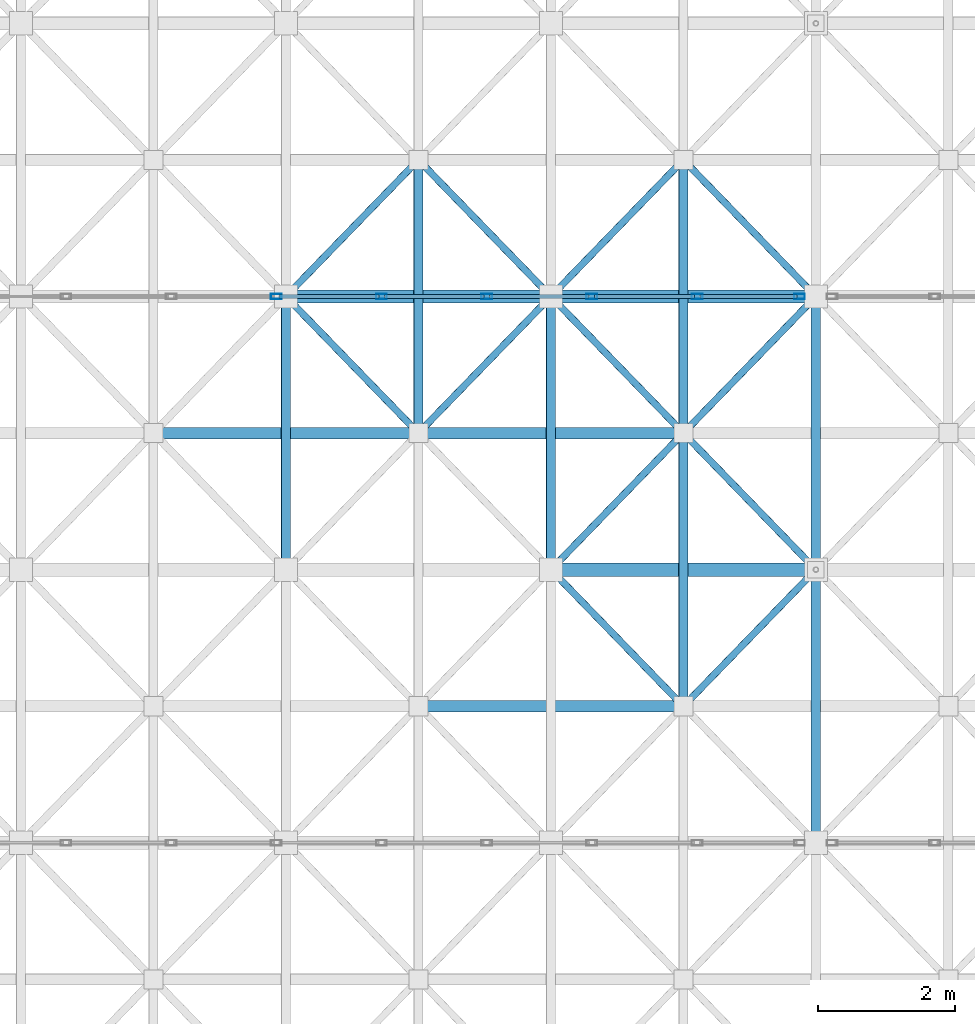
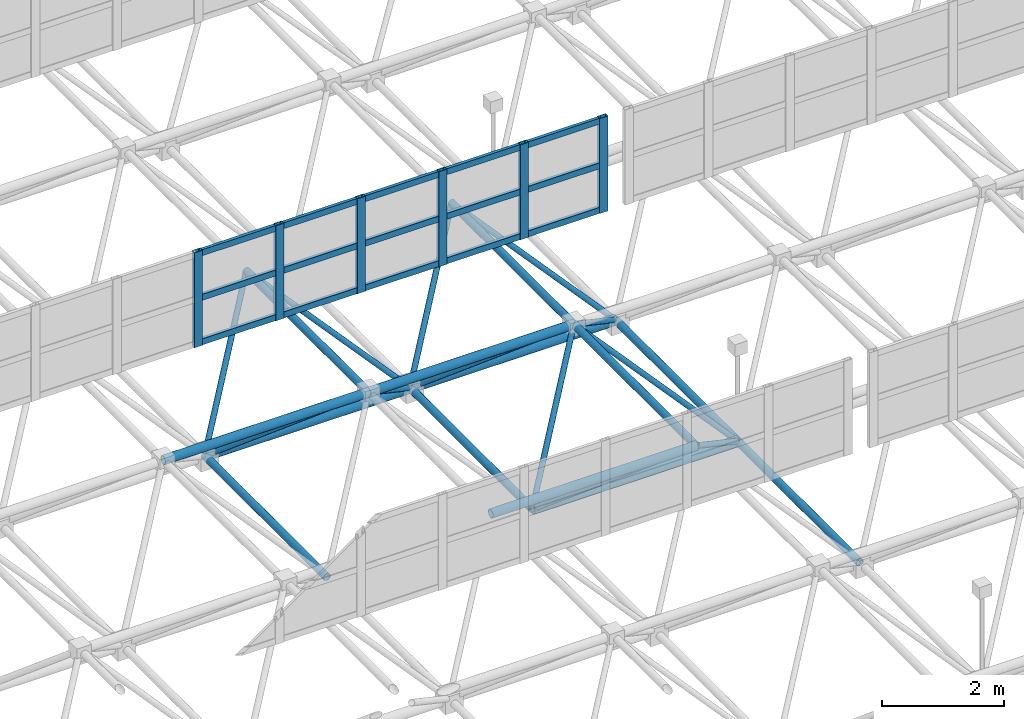
# One storey, part 83 of 195: 46 members, 1 element without a shape of its own.
"""IFC4 building model written with IfcOpenShell, lengths in metres."""

from ifc_helpers import new_model, si_unit, direction, frame, origin, origin_2d, place, context, subcontext, project, spatial, hollow_rectangle, hollow_circle, extrude, material, material_profile, profile_set, type_object, element, aggregate, save


model = new_model("IFC4")

# Units and contexts
model_context = context("Model", 3, precision=1e-05, world=origin(), true_north=direction((0.0, 1.0)))
body_context = subcontext(model_context, "Body", "Model", "MODEL_VIEW")
ifc_project = project(units=[si_unit("LENGTHUNIT", "METRE"), si_unit("AREAUNIT", "SQUARE_METRE"), si_unit("VOLUMEUNIT", "CUBIC_METRE"), si_unit("PLANEANGLEUNIT", "RADIAN"), si_unit("MASSUNIT", "GRAM", prefix="KILO")], contexts=[model_context])

# Site, building, storey
site_placement = place(None, origin())
site = spatial("IfcSite", under=ifc_project, at=site_placement, CompositionType="ELEMENT")
building_placement = place(site_placement, origin())
building = spatial("IfcBuilding", under=site, at=building_placement, Name="Kharva Crest Polytechnic", CompositionType="ELEMENT")
storey_placement = place(building_placement, frame((0.0, 0.0, 9.0)))
storey = spatial("IfcBuildingStorey", under=building, at=storey_placement, Name="L02", CompositionType="ELEMENT", Elevation=9.0)

# Curtain wall, members
ifc_material_1 = material(Name="Tempered insulated glass", Category="glass")
curtain_wall_type = type_object("IfcCurtainWallType", Name="CW-SYS-NORTHLIGHT", PredefinedType="USERDEFINED", material=ifc_material_1)
curtain_wall_placement = place(storey_placement, origin())
curtain_wall = element("IfcCurtainWall", 1, at=curtain_wall_placement, inside=storey, type_object=curtain_wall_type, Name="L02 Glazed Curtain Wall CW-195", ObjectType="CURTAIN WALL", PredefinedType="USERDEFINED")
ifc_material_2 = material(Name="Steel S355", Category="steel")
ifc_material_profile_1 = material_profile(ifc_material_2, hollow_rectangle(XDim=0.080078125, YDim=0.159912109375, WallThickness=0.0048828125, at=origin_2d()), Name="RHS 160X80X5.0")
ifc_profile_set_1 = profile_set([ifc_material_profile_1], Name="Steel S355")
member_type_1 = type_object("IfcMemberType", Name="CWM-RHS160X80", PredefinedType="MULLION", material=ifc_profile_set_1)
member_1_placement = place(storey_placement, frame((8.10009765625, 70.800048828125, 2.85009765625), z_axis=(0.0, 0.0, 1.0), x_axis=(0.0, 1.0, 0.0)))
member_1 = element("IfcMember", 2, at=member_1_placement, type_object=member_type_1, Name="CW-195 mullion 6", PredefinedType="MULLION", context=body_context, shape_type="SweptSolid", body=[
    extrude(hollow_rectangle(XDim=0.080078125, YDim=0.159912109375, WallThickness=0.0048828125, at=origin_2d()), origin(), (0.0, 0.0, 1.0), 1.89990234375),
])
member_2_placement = place(storey_placement, frame((9.639892578125, 70.800048828125, 2.85009765625), z_axis=(0.0, 0.0, 1.0), x_axis=(0.0, 1.0, 0.0)))
member_2 = element("IfcMember", 3, at=member_2_placement, type_object=member_type_1, Name="CW-195 mullion 7", PredefinedType="MULLION", context=body_context, shape_type="SweptSolid", body=[
    extrude(hollow_rectangle(XDim=0.080078125, YDim=0.159912109375, WallThickness=0.0048828125, at=origin_2d()), origin(), (0.0, 0.0, 1.0), 1.89990234375),
])
member_3_placement = place(storey_placement, frame((11.179931640625, 70.800048828125, 2.85009765625), z_axis=(0.0, 0.0, 1.0), x_axis=(0.0, 1.0, 0.0)))
member_3 = element("IfcMember", 4, at=member_3_placement, type_object=member_type_1, Name="CW-195 mullion 8", PredefinedType="MULLION", context=body_context, shape_type="SweptSolid", body=[
    extrude(hollow_rectangle(XDim=0.080078125, YDim=0.159912109375, WallThickness=0.0048828125, at=origin_2d()), origin(), (0.0, 0.0, 1.0), 1.89990234375),
])
member_4_placement = place(storey_placement, frame((12.719970703125, 70.800048828125, 2.85009765625), z_axis=(0.0, 0.0, 1.0), x_axis=(0.0, 1.0, 0.0)))
member_4 = element("IfcMember", 5, at=member_4_placement, type_object=member_type_1, Name="CW-195 mullion 9", PredefinedType="MULLION", context=body_context, shape_type="SweptSolid", body=[
    extrude(hollow_rectangle(XDim=0.080078125, YDim=0.159912109375, WallThickness=0.0048828125, at=origin_2d()), origin(), (0.0, 0.0, 1.0), 1.89990234375),
])
member_5_placement = place(storey_placement, frame((14.260009765625, 70.800048828125, 2.85009765625), z_axis=(0.0, 0.0, 1.0), x_axis=(0.0, 1.0, 0.0)))
member_5 = element("IfcMember", 6, at=member_5_placement, type_object=member_type_1, Name="CW-195 mullion 10", PredefinedType="MULLION", context=body_context, shape_type="SweptSolid", body=[
    extrude(hollow_rectangle(XDim=0.080078125, YDim=0.159912109375, WallThickness=0.0048828125, at=origin_2d()), origin(), (0.0, 0.0, 1.0), 1.89990234375),
])
member_6_placement = place(storey_placement, frame((15.760009765625, 70.800048828125, 2.85009765625), z_axis=(0.0, 0.0, 1.0), x_axis=(0.0, 1.0, 0.0)))
member_6 = element("IfcMember", 7, at=member_6_placement, type_object=member_type_1, Name="CW-195 mullion 11", PredefinedType="MULLION", context=body_context, shape_type="SweptSolid", body=[
    extrude(hollow_rectangle(XDim=0.080078125, YDim=0.159912109375, WallThickness=0.0048828125, at=origin_2d()), origin(), (0.0, 0.0, 1.0), 1.89990234375),
])
ifc_material_profile_2 = material_profile(ifc_material_2, hollow_rectangle(XDim=0.06005859375, YDim=0.1201171875, WallThickness=0.00390625, at=origin_2d()), Name="RHS 120X60X4.0")
ifc_profile_set_2 = profile_set([ifc_material_profile_2], Name="Steel S355")
member_type_2 = type_object("IfcMemberType", Name="CWT-RHS120X60", PredefinedType="USERDEFINED", material=ifc_profile_set_2)
member_7_placement = place(storey_placement, frame((8.139892578125, 70.800048828125, 2.909912109375), z_axis=(1.0, 0.0, 0.0), x_axis=(0.0, 1.0, 0.0)))
member_7 = element("IfcMember", 8, at=member_7_placement, type_object=member_type_2, Name="CW-195 transom 6.1", ObjectType="TRANSOM", PredefinedType="USERDEFINED", context=body_context, shape_type="SweptSolid", body=[
    extrude(hollow_rectangle(XDim=0.06005859375, YDim=0.1201171875, WallThickness=0.00390625, at=origin_2d()), origin(), (0.0, 0.0, 1.0), 1.460205078125),
])
member_8_placement = place(storey_placement, frame((8.139892578125, 70.800048828125, 3.800048828125), z_axis=(1.0, 0.0, 0.0), x_axis=(0.0, 1.0, 0.0)))
member_8 = element("IfcMember", 9, at=member_8_placement, type_object=member_type_2, Name="CW-195 transom 6.2", ObjectType="TRANSOM", PredefinedType="USERDEFINED", context=body_context, shape_type="SweptSolid", body=[
    extrude(hollow_rectangle(XDim=0.06005859375, YDim=0.1201171875, WallThickness=0.00390625, at=origin_2d()), origin(), (0.0, 0.0, 1.0), 1.460205078125),
])
member_9_placement = place(storey_placement, frame((8.139892578125, 70.800048828125, 4.68994140625), z_axis=(1.0, 0.0, 0.0), x_axis=(0.0, 1.0, 0.0)))
member_9 = element("IfcMember", 10, at=member_9_placement, type_object=member_type_2, Name="CW-195 transom 6.3", ObjectType="TRANSOM", PredefinedType="USERDEFINED", context=body_context, shape_type="SweptSolid", body=[
    extrude(hollow_rectangle(XDim=0.06005859375, YDim=0.1201171875, WallThickness=0.00390625, at=origin_2d()), origin(), (0.0, 0.0, 1.0), 1.460205078125),
])
member_10_placement = place(storey_placement, frame((9.679931640625, 70.800048828125, 2.909912109375), z_axis=(1.0, 0.0, 0.0), x_axis=(0.0, 1.0, 0.0)))
member_10 = element("IfcMember", 11, at=member_10_placement, type_object=member_type_2, Name="CW-195 transom 7.1", ObjectType="TRANSOM", PredefinedType="USERDEFINED", context=body_context, shape_type="SweptSolid", body=[
    extrude(hollow_rectangle(XDim=0.06005859375, YDim=0.1201171875, WallThickness=0.00390625, at=origin_2d()), origin(), (0.0, 0.0, 1.0), 1.4599609375),
])
member_11_placement = place(storey_placement, frame((9.679931640625, 70.800048828125, 3.800048828125), z_axis=(1.0, 0.0, 0.0), x_axis=(0.0, 1.0, 0.0)))
member_11 = element("IfcMember", 12, at=member_11_placement, type_object=member_type_2, Name="CW-195 transom 7.2", ObjectType="TRANSOM", PredefinedType="USERDEFINED", context=body_context, shape_type="SweptSolid", body=[
    extrude(hollow_rectangle(XDim=0.06005859375, YDim=0.1201171875, WallThickness=0.00390625, at=origin_2d()), origin(), (0.0, 0.0, 1.0), 1.4599609375),
])
member_12_placement = place(storey_placement, frame((9.679931640625, 70.800048828125, 4.68994140625), z_axis=(1.0, 0.0, 0.0), x_axis=(0.0, 1.0, 0.0)))
member_12 = element("IfcMember", 13, at=member_12_placement, type_object=member_type_2, Name="CW-195 transom 7.3", ObjectType="TRANSOM", PredefinedType="USERDEFINED", context=body_context, shape_type="SweptSolid", body=[
    extrude(hollow_rectangle(XDim=0.06005859375, YDim=0.1201171875, WallThickness=0.00390625, at=origin_2d()), origin(), (0.0, 0.0, 1.0), 1.4599609375),
])
member_13_placement = place(storey_placement, frame((11.219970703125, 70.800048828125, 2.909912109375), z_axis=(1.0, 0.0, 0.0), x_axis=(0.0, 1.0, 0.0)))
member_13 = element("IfcMember", 14, at=member_13_placement, type_object=member_type_2, Name="CW-195 transom 8.1", ObjectType="TRANSOM", PredefinedType="USERDEFINED", context=body_context, shape_type="SweptSolid", body=[
    extrude(hollow_rectangle(XDim=0.06005859375, YDim=0.1201171875, WallThickness=0.00390625, at=origin_2d()), origin(), (0.0, 0.0, 1.0), 1.4599609375),
])
member_14_placement = place(storey_placement, frame((11.219970703125, 70.800048828125, 3.800048828125), z_axis=(1.0, 0.0, 0.0), x_axis=(0.0, 1.0, 0.0)))
member_14 = element("IfcMember", 15, at=member_14_placement, type_object=member_type_2, Name="CW-195 transom 8.2", ObjectType="TRANSOM", PredefinedType="USERDEFINED", context=body_context, shape_type="SweptSolid", body=[
    extrude(hollow_rectangle(XDim=0.06005859375, YDim=0.1201171875, WallThickness=0.00390625, at=origin_2d()), origin(), (0.0, 0.0, 1.0), 1.4599609375),
])
member_15_placement = place(storey_placement, frame((11.219970703125, 70.800048828125, 4.68994140625), z_axis=(1.0, 0.0, 0.0), x_axis=(0.0, 1.0, 0.0)))
member_15 = element("IfcMember", 16, at=member_15_placement, type_object=member_type_2, Name="CW-195 transom 8.3", ObjectType="TRANSOM", PredefinedType="USERDEFINED", context=body_context, shape_type="SweptSolid", body=[
    extrude(hollow_rectangle(XDim=0.06005859375, YDim=0.1201171875, WallThickness=0.00390625, at=origin_2d()), origin(), (0.0, 0.0, 1.0), 1.4599609375),
])
member_16_placement = place(storey_placement, frame((12.760009765625, 70.800048828125, 2.909912109375), z_axis=(1.0, 0.0, 0.0), x_axis=(0.0, 1.0, 0.0)))
member_16 = element("IfcMember", 17, at=member_16_placement, type_object=member_type_2, Name="CW-195 transom 9.1", ObjectType="TRANSOM", PredefinedType="USERDEFINED", context=body_context, shape_type="SweptSolid", body=[
    extrude(hollow_rectangle(XDim=0.06005859375, YDim=0.1201171875, WallThickness=0.00390625, at=origin_2d()), origin(), (0.0, 0.0, 1.0), 1.4599609375),
])
member_17_placement = place(storey_placement, frame((12.760009765625, 70.800048828125, 3.800048828125), z_axis=(1.0, 0.0, 0.0), x_axis=(0.0, 1.0, 0.0)))
member_17 = element("IfcMember", 18, at=member_17_placement, type_object=member_type_2, Name="CW-195 transom 9.2", ObjectType="TRANSOM", PredefinedType="USERDEFINED", context=body_context, shape_type="SweptSolid", body=[
    extrude(hollow_rectangle(XDim=0.06005859375, YDim=0.1201171875, WallThickness=0.00390625, at=origin_2d()), origin(), (0.0, 0.0, 1.0), 1.4599609375),
])
member_18_placement = place(storey_placement, frame((12.760009765625, 70.800048828125, 4.68994140625), z_axis=(1.0, 0.0, 0.0), x_axis=(0.0, 1.0, 0.0)))
member_18 = element("IfcMember", 19, at=member_18_placement, type_object=member_type_2, Name="CW-195 transom 9.3", ObjectType="TRANSOM", PredefinedType="USERDEFINED", context=body_context, shape_type="SweptSolid", body=[
    extrude(hollow_rectangle(XDim=0.06005859375, YDim=0.1201171875, WallThickness=0.00390625, at=origin_2d()), origin(), (0.0, 0.0, 1.0), 1.4599609375),
])
member_19_placement = place(storey_placement, frame((14.300048828125, 70.800048828125, 2.909912109375), z_axis=(1.0, 0.0, 0.0), x_axis=(0.0, 1.0, 0.0)))
member_19 = element("IfcMember", 20, at=member_19_placement, type_object=member_type_2, Name="CW-195 transom 10.1", ObjectType="TRANSOM", PredefinedType="USERDEFINED", context=body_context, shape_type="SweptSolid", body=[
    extrude(hollow_rectangle(XDim=0.06005859375, YDim=0.1201171875, WallThickness=0.00390625, at=origin_2d()), origin(), (0.0, 0.0, 1.0), 1.419921875),
])
member_20_placement = place(storey_placement, frame((14.300048828125, 70.800048828125, 3.800048828125), z_axis=(1.0, 0.0, 0.0), x_axis=(0.0, 1.0, 0.0)))
member_20 = element("IfcMember", 21, at=member_20_placement, type_object=member_type_2, Name="CW-195 transom 10.2", ObjectType="TRANSOM", PredefinedType="USERDEFINED", context=body_context, shape_type="SweptSolid", body=[
    extrude(hollow_rectangle(XDim=0.06005859375, YDim=0.1201171875, WallThickness=0.00390625, at=origin_2d()), origin(), (0.0, 0.0, 1.0), 1.419921875),
])
member_21_placement = place(storey_placement, frame((14.300048828125, 70.800048828125, 4.68994140625), z_axis=(1.0, 0.0, 0.0), x_axis=(0.0, 1.0, 0.0)))
member_21 = element("IfcMember", 22, at=member_21_placement, type_object=member_type_2, Name="CW-195 transom 10.3", ObjectType="TRANSOM", PredefinedType="USERDEFINED", context=body_context, shape_type="SweptSolid", body=[
    extrude(hollow_rectangle(XDim=0.06005859375, YDim=0.1201171875, WallThickness=0.00390625, at=origin_2d()), origin(), (0.0, 0.0, 1.0), 1.419921875),
])
aggregate(curtain_wall, [member_1, member_2, member_3, member_4, member_5, member_6, member_7, member_8, member_9, member_10, member_11, member_12, member_13, member_14, member_15, member_16, member_17, member_18, member_19, member_20, member_21])

# Members
ifc_material_profile_3 = material_profile(ifc_material_2, hollow_circle(Radius=0.05078125, WallThickness=0.0048828125, at=origin_2d()), Name="CHS 101.6X5.0")
ifc_profile_set_3 = profile_set([ifc_material_profile_3], Name="Steel S355")
member_type_3 = type_object("IfcMemberType", Name="MEM-CHS101", PredefinedType="BRACE", material=ifc_profile_set_3)
for number, where, z_axis, x_axis, name in (
    (23, (8.239990234375, 70.800048828125, 0.60009765625), (0.584843378742, -0.602949529154, 0.542595694449), (0.717802189577, 0.696247094528, 0.0), "Space Frame Web Diagonal 591"),
    (24, (12.1201171875, 70.800048828125, 0.60009765625), (-0.584891802813, -0.602923574763, 0.542572338032), (0.717758400015, -0.696292236929, 0.0), "Space Frame Web Diagonal 592"),
    (25, (8.239990234375, 70.800048828125, 0.60009765625), (0.584843378742, 0.602949529154, 0.542595694449), (-0.717802189577, 0.696247094528, 0.0), "Space Frame Web Diagonal 593"),
    (26, (12.1201171875, 70.800048828125, 0.60009765625), (-0.584891802813, 0.602923574763, 0.542572338032), (-0.717758400015, -0.696292236929, 0.0), "Space Frame Web Diagonal 594"),
    (27, (12.1201171875, 66.800048828125, 0.60009765625), (0.584843378742, -0.602949529154, 0.542595694449), (0.717802189577, 0.696247094528, 0.0), "Space Frame Web Diagonal 643"),
    (28, (16.0, 66.800048828125, 0.60009765625), (-0.584843378742, -0.602949529154, 0.542595694449), (0.717802189577, -0.696247094528, 0.0), "Space Frame Web Diagonal 644"),
    (29, (12.1201171875, 66.800048828125, 0.60009765625), (0.584843378742, 0.602949529154, 0.542595694449), (-0.717802189577, 0.696247094528, 0.0), "Space Frame Web Diagonal 645"),
    (30, (16.0, 66.800048828125, 0.60009765625), (-0.584843378742, 0.602949529154, 0.542595694449), (-0.717802189577, -0.696247094528, 0.0), "Space Frame Web Diagonal 646"),
    (31, (12.1201171875, 70.800048828125, 0.60009765625), (0.584843378742, -0.602949529154, 0.542595694449), (0.717802189577, 0.696247094528, 0.0), "Space Frame Web Diagonal 647"),
    (32, (16.0, 70.800048828125, 0.60009765625), (-0.584843378742, -0.602949529154, 0.542595694449), (0.717802189577, -0.696247094528, 0.0), "Space Frame Web Diagonal 648"),
    (33, (12.1201171875, 70.800048828125, 0.60009765625), (0.584843378742, 0.602949529154, 0.542595694449), (-0.717802189577, 0.696247094528, 0.0), "Space Frame Web Diagonal 649"),
    (34, (16.0, 70.800048828125, 0.60009765625), (-0.584843378742, 0.602949529154, 0.542595694449), (-0.717802189577, -0.696247094528, 0.0), "Space Frame Web Diagonal 650"),
):
    element("IfcMember", number, at=place(storey_placement, frame(where, z_axis=z_axis, x_axis=x_axis)), inside=storey, type_object=member_type_3, Name=name, PredefinedType="BRACE", context=body_context, shape_type="SweptSolid", body=[
        extrude(hollow_circle(Radius=0.05078125, WallThickness=0.0048828125, at=origin_2d()), origin(), (0.0, 0.0, 1.0), 3.317138671875),
    ])
ifc_material_profile_4 = material_profile(ifc_material_2, hollow_circle(Radius=0.06982421875, WallThickness=0.00634765625, at=origin_2d()), Name="CHS 139.7X6.3")
ifc_profile_set_4 = profile_set([ifc_material_profile_4], Name="Steel S355")
member_type_4 = type_object("IfcMemberType", Name="MEM-CHS139", PredefinedType="CHORD", material=ifc_profile_set_4)
for number, where, z_axis, x_axis, name in (
    (35, (8.239990234375, 66.800048828125, 0.60009765625), (0.0, 1.0, 0.0), (-1.0, 0.0, 0.0), "Space Frame Bottom Chord Y 156"),
    (36, (12.1201171875, 66.800048828125, 0.60009765625), (0.0, 1.0, 0.0), (-1.0, 0.0, 0.0), "Space Frame Bottom Chord Y 170"),
    (37, (16.0, 62.800048828125, 0.60009765625), (0.0, 1.0, 0.0), (-1.0, 0.0, 0.0), "Space Frame Bottom Chord Y 183"),
    (38, (16.0, 66.800048828125, 0.60009765625), (0.0, 1.0, 0.0), (-1.0, 0.0, 0.0), "Space Frame Bottom Chord Y 184"),
    (39, (10.179931640625, 68.800048828125, 2.39990234375), (0.0, 1.0, 0.0), (-1.0, 0.0, 0.0), "Space Frame Top Chord Y 378"),
    (40, (14.06005859375, 64.800048828125, 2.39990234375), (0.0, 1.0, 0.0), (-1.0, 0.0, 0.0), "Space Frame Top Chord Y 390"),
    (41, (14.06005859375, 68.800048828125, 2.39990234375), (0.0, 1.0, 0.0), (-1.0, 0.0, 0.0), "Space Frame Top Chord Y 391"),
):
    element("IfcMember", number, at=place(storey_placement, frame(where, z_axis=z_axis, x_axis=x_axis)), inside=storey, type_object=member_type_4, Name=name, PredefinedType="CHORD", context=body_context, shape_type="SweptSolid", body=[
        extrude(hollow_circle(Radius=0.06982421875, WallThickness=0.00634765625, at=origin_2d()), origin(), (0.0, 0.0, 1.0), 4.0),
    ])
ifc_material_profile_5 = material_profile(ifc_material_2, hollow_circle(Radius=0.084228515625, WallThickness=0.008056640625, at=origin_2d()), Name="CHS 168.3X8.0")
ifc_profile_set_5 = profile_set([ifc_material_profile_5], Name="Steel S355")
member_type_5 = type_object("IfcMemberType", Name="MEM-CHS168", PredefinedType="CHORD", material=ifc_profile_set_5)
member_22_placement = place(storey_placement, frame((10.179931640625, 64.800048828125, 2.39990234375), z_axis=(1.0, 0.0, 0.0), x_axis=(0.0, 1.0, 0.0)))
element("IfcMember", 42, at=member_22_placement, inside=storey, type_object=member_type_5, Name="Space Frame Top Chord X 291", PredefinedType="CHORD", context=body_context, shape_type="SweptSolid", body=[
    extrude(hollow_circle(Radius=0.084228515625, WallThickness=0.008056640625, at=origin_2d()), origin(), (0.0, 0.0, 1.0), 3.880126953125),
])
member_23_placement = place(storey_placement, frame((6.300048828125, 68.800048828125, 2.39990234375), z_axis=(1.0, 0.0, 0.0), x_axis=(0.0, 1.0, 0.0)))
element("IfcMember", 43, at=member_23_placement, inside=storey, type_object=member_type_5, Name="Space Frame Top Chord X 297", PredefinedType="CHORD", context=body_context, shape_type="SweptSolid", body=[
    extrude(hollow_circle(Radius=0.084228515625, WallThickness=0.008056640625, at=origin_2d()), origin(), (0.0, 0.0, 1.0), 3.8798828125),
])
member_24_placement = place(storey_placement, frame((10.179931640625, 68.800048828125, 2.39990234375), z_axis=(1.0, 0.0, 0.0), x_axis=(0.0, 1.0, 0.0)))
element("IfcMember", 44, at=member_24_placement, inside=storey, type_object=member_type_5, Name="Space Frame Top Chord X 298", PredefinedType="CHORD", context=body_context, shape_type="SweptSolid", body=[
    extrude(hollow_circle(Radius=0.084228515625, WallThickness=0.008056640625, at=origin_2d()), origin(), (0.0, 0.0, 1.0), 3.880126953125),
])
ifc_material_profile_6 = material_profile(ifc_material_2, hollow_circle(Radius=0.096923828125, WallThickness=0.008056640625, at=origin_2d()), Name="CHS 193.7X8.0")
ifc_profile_set_6 = profile_set([ifc_material_profile_6], Name="Steel S355")
member_type_6 = type_object("IfcMemberType", Name="MEM-CHS193", PredefinedType="CHORD", material=ifc_profile_set_6)
member_25_placement = place(storey_placement, frame((12.1201171875, 66.800048828125, 0.60009765625), z_axis=(1.0, 0.0, 0.0), x_axis=(0.0, 1.0, 0.0)))
element("IfcMember", 45, at=member_25_placement, inside=storey, type_object=member_type_6, Name="Space Frame Bottom Chord X 60", PredefinedType="CHORD", context=body_context, shape_type="SweptSolid", body=[
    extrude(hollow_circle(Radius=0.096923828125, WallThickness=0.008056640625, at=origin_2d()), origin(), (0.0, 0.0, 1.0), 3.8798828125),
])
member_26_placement = place(storey_placement, frame((8.239990234375, 70.800048828125, 0.60009765625), z_axis=(1.0, 0.0, 0.0), x_axis=(0.0, 1.0, 0.0)))
element("IfcMember", 46, at=member_26_placement, inside=storey, type_object=member_type_6, Name="Space Frame Bottom Chord X 67", PredefinedType="CHORD", context=body_context, shape_type="SweptSolid", body=[
    extrude(hollow_circle(Radius=0.096923828125, WallThickness=0.008056640625, at=origin_2d()), origin(), (0.0, 0.0, 1.0), 3.880126953125),
])
member_27_placement = place(storey_placement, frame((12.1201171875, 70.800048828125, 0.60009765625), z_axis=(1.0, 0.0, 0.0), x_axis=(0.0, 1.0, 0.0)))
element("IfcMember", 47, at=member_27_placement, inside=storey, type_object=member_type_6, Name="Space Frame Bottom Chord X 68", PredefinedType="CHORD", context=body_context, shape_type="SweptSolid", body=[
    extrude(hollow_circle(Radius=0.096923828125, WallThickness=0.008056640625, at=origin_2d()), origin(), (0.0, 0.0, 1.0), 3.8798828125),
])

save(model, "model.ifc")
